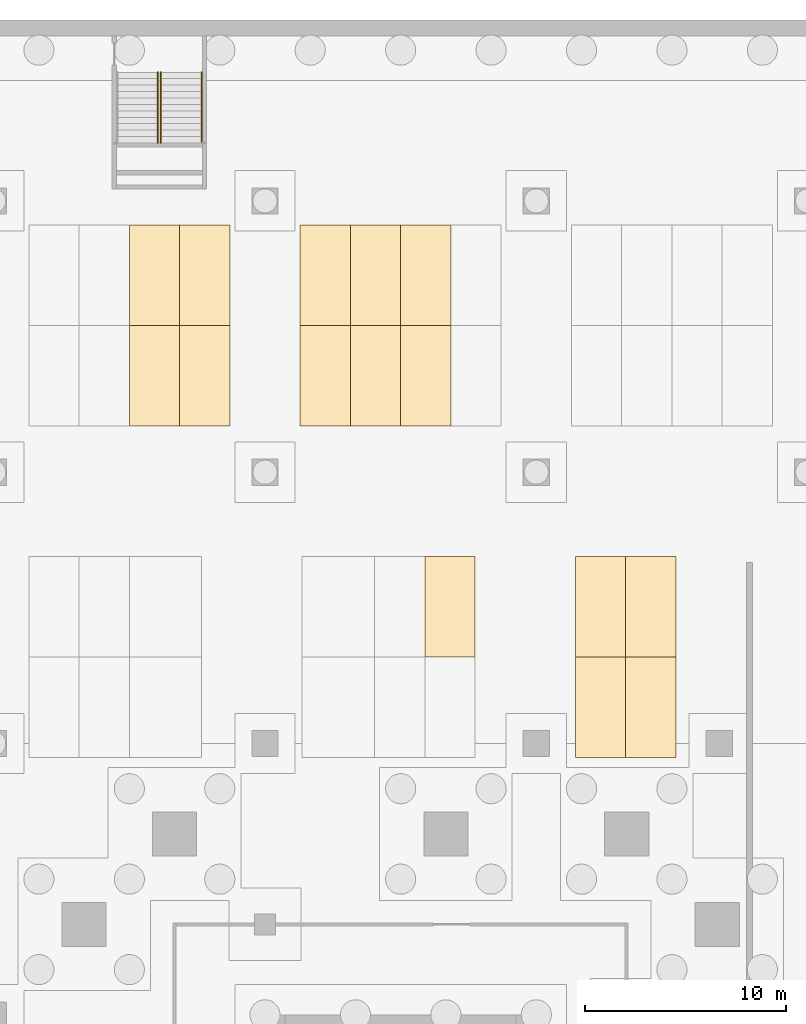
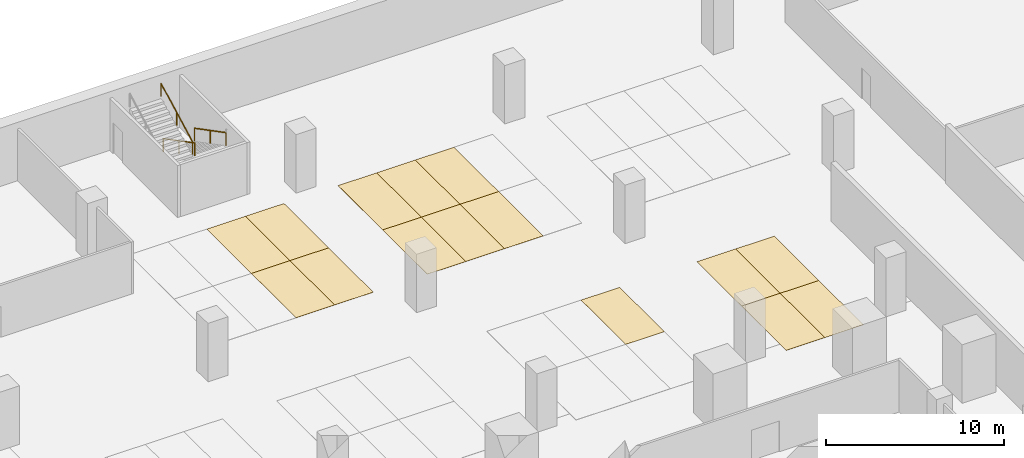
# One storey, part 36 of 40: 15 coverings, 3 railings.
"""IFC4 building model written with IfcOpenShell, lengths in metres."""

from ifc_helpers import new_model, si_unit, direction, frame, origin, origin_2d, place, context, subcontext, project, spatial, polyline, circle, outline, extrude, source, transform, mapped, material, layer, layer_set, type_object, element, save


model = new_model("IFC4")

# Units and contexts
model_context = context("Model", 3, precision=1e-05, world=origin(), true_north=direction((0.0, 1.0)))
body_context = subcontext(model_context, "Body", "Model", "MODEL_VIEW")
ifc_project = project(units=[si_unit("LENGTHUNIT", "METRE"), si_unit("AREAUNIT", "SQUARE_METRE"), si_unit("VOLUMEUNIT", "CUBIC_METRE"), si_unit("PLANEANGLEUNIT", "RADIAN"), si_unit("MASSUNIT", "GRAM", prefix="KILO")], contexts=[model_context])

# Site, building, storey
site_placement = place(None, origin())
site = spatial("IfcSite", under=ifc_project, at=site_placement, CompositionType="ELEMENT")
building_placement = place(site_placement, origin())
building = spatial("IfcBuilding", under=site, at=building_placement, Name="Altepetl Exchange Towers", CompositionType="ELEMENT")
storey_placement = place(building_placement, frame((0.0, 0.0, -8.0)))
storey = spatial("IfcBuildingStorey", under=building, at=storey_placement, Name="B2 Basement parking", CompositionType="ELEMENT", Elevation=-8.0)

# Coverings
ifc_material_1 = material(Name="Road marking paint")
ifc_layer = layer(ifc_material_1, 0.010009765625)
ifc_layer_set = layer_set([ifc_layer], Name="Road marking paint")
covering_type = type_object("IfcCoveringType", Name="Parking bay marking 2500 x 5000", PredefinedType="FLOORING", material=ifc_layer_set)
covering_1_placement = place(storey_placement, origin())
element("IfcCovering", 1, at=covering_1_placement, inside=storey, type_object=covering_type, Name="Parking bay B2-101", PredefinedType="FLOORING", context=body_context, shape_type="SweptSolid", body=[
    extrude(outline(polyline([(118.949951171875, 62.300048828125), (121.449951171875, 62.300048828125), (121.449951171875, 67.300048828125), (118.949951171875, 67.300048828125), (118.949951171875, 62.300048828125)])), origin(), (0.0, 0.0, 1.0), 0.010009765625),
])
covering_2_placement = place(storey_placement, origin())
element("IfcCovering", 2, at=covering_2_placement, inside=storey, type_object=covering_type, Name="Parking bay B2-102", PredefinedType="FLOORING", context=body_context, shape_type="SweptSolid", body=[
    extrude(outline(polyline([(121.449951171875, 62.300048828125), (123.949951171875, 62.300048828125), (123.949951171875, 67.300048828125), (121.449951171875, 67.300048828125), (121.449951171875, 62.300048828125)])), origin(), (0.0, 0.0, 1.0), 0.010009765625),
])
covering_3_placement = place(storey_placement, origin())
element("IfcCovering", 3, at=covering_3_placement, inside=storey, type_object=covering_type, Name="Parking bay B2-112", PredefinedType="FLOORING", context=body_context, shape_type="SweptSolid", body=[
    extrude(outline(polyline([(111.449951171875, 67.300048828125), (113.949951171875, 67.300048828125), (113.949951171875, 72.300048828125), (111.449951171875, 72.300048828125), (111.449951171875, 67.300048828125)])), origin(), (0.0, 0.0, 1.0), 0.010009765625),
])
covering_4_placement = place(storey_placement, origin())
element("IfcCovering", 4, at=covering_4_placement, inside=storey, type_object=covering_type, Name="Parking bay B2-113", PredefinedType="FLOORING", context=body_context, shape_type="SweptSolid", body=[
    extrude(outline(polyline([(118.949951171875, 67.300048828125), (121.449951171875, 67.300048828125), (121.449951171875, 72.300048828125), (118.949951171875, 72.300048828125), (118.949951171875, 67.300048828125)])), origin(), (0.0, 0.0, 1.0), 0.010009765625),
])
covering_5_placement = place(storey_placement, origin())
element("IfcCovering", 5, at=covering_5_placement, inside=storey, type_object=covering_type, Name="Parking bay B2-114", PredefinedType="FLOORING", context=body_context, shape_type="SweptSolid", body=[
    extrude(outline(polyline([(121.449951171875, 67.300048828125), (123.949951171875, 67.300048828125), (123.949951171875, 72.300048828125), (121.449951171875, 72.300048828125), (121.449951171875, 67.300048828125)])), origin(), (0.0, 0.0, 1.0), 0.010009765625),
])
covering_6_placement = place(storey_placement, origin())
element("IfcCovering", 6, at=covering_6_placement, inside=storey, type_object=covering_type, Name="Parking bay B2-131", PredefinedType="FLOORING", context=body_context, shape_type="SweptSolid", body=[
    extrude(outline(polyline([(96.75, 78.800048828125), (99.25, 78.800048828125), (99.25, 83.800048828125), (96.75, 83.800048828125), (96.75, 78.800048828125)])), origin(), (0.0, 0.0, 1.0), 0.010009765625),
])
covering_7_placement = place(storey_placement, origin())
element("IfcCovering", 7, at=covering_7_placement, inside=storey, type_object=covering_type, Name="Parking bay B2-132", PredefinedType="FLOORING", context=body_context, shape_type="SweptSolid", body=[
    extrude(outline(polyline([(99.25, 78.800048828125), (101.75, 78.800048828125), (101.75, 83.800048828125), (99.25, 83.800048828125), (99.25, 78.800048828125)])), origin(), (0.0, 0.0, 1.0), 0.010009765625),
])
covering_8_placement = place(storey_placement, origin())
element("IfcCovering", 8, at=covering_8_placement, inside=storey, type_object=covering_type, Name="Parking bay B2-133", PredefinedType="FLOORING", context=body_context, shape_type="SweptSolid", body=[
    extrude(outline(polyline([(105.25, 78.800048828125), (107.75, 78.800048828125), (107.75, 83.800048828125), (105.25, 83.800048828125), (105.25, 78.800048828125)])), origin(), (0.0, 0.0, 1.0), 0.010009765625),
])
covering_9_placement = place(storey_placement, origin())
element("IfcCovering", 9, at=covering_9_placement, inside=storey, type_object=covering_type, Name="Parking bay B2-134", PredefinedType="FLOORING", context=body_context, shape_type="SweptSolid", body=[
    extrude(outline(polyline([(107.75, 78.800048828125), (110.25, 78.800048828125), (110.25, 83.800048828125), (107.75, 83.800048828125), (107.75, 78.800048828125)])), origin(), (0.0, 0.0, 1.0), 0.010009765625),
])
covering_10_placement = place(storey_placement, origin())
element("IfcCovering", 10, at=covering_10_placement, inside=storey, type_object=covering_type, Name="Parking bay B2-135", PredefinedType="FLOORING", context=body_context, shape_type="SweptSolid", body=[
    extrude(outline(polyline([(110.25, 78.800048828125), (112.75, 78.800048828125), (112.75, 83.800048828125), (110.25, 83.800048828125), (110.25, 78.800048828125)])), origin(), (0.0, 0.0, 1.0), 0.010009765625),
])
covering_11_placement = place(storey_placement, origin())
element("IfcCovering", 11, at=covering_11_placement, inside=storey, type_object=covering_type, Name="Parking bay B2-157", PredefinedType="FLOORING", context=body_context, shape_type="SweptSolid", body=[
    extrude(outline(polyline([(96.75, 83.800048828125), (99.25, 83.800048828125), (99.25, 88.800048828125), (96.75, 88.800048828125), (96.75, 83.800048828125)])), origin(), (0.0, 0.0, 1.0), 0.010009765625),
])
covering_12_placement = place(storey_placement, origin())
element("IfcCovering", 12, at=covering_12_placement, inside=storey, type_object=covering_type, Name="Parking bay B2-158", PredefinedType="FLOORING", context=body_context, shape_type="SweptSolid", body=[
    extrude(outline(polyline([(99.25, 83.800048828125), (101.75, 83.800048828125), (101.75, 88.800048828125), (99.25, 88.800048828125), (99.25, 83.800048828125)])), origin(), (0.0, 0.0, 1.0), 0.010009765625),
])
covering_13_placement = place(storey_placement, origin())
element("IfcCovering", 13, at=covering_13_placement, inside=storey, type_object=covering_type, Name="Parking bay B2-159", PredefinedType="FLOORING", context=body_context, shape_type="SweptSolid", body=[
    extrude(outline(polyline([(105.25, 83.800048828125), (107.75, 83.800048828125), (107.75, 88.800048828125), (105.25, 88.800048828125), (105.25, 83.800048828125)])), origin(), (0.0, 0.0, 1.0), 0.010009765625),
])
covering_14_placement = place(storey_placement, origin())
element("IfcCovering", 14, at=covering_14_placement, inside=storey, type_object=covering_type, Name="Parking bay B2-160", PredefinedType="FLOORING", context=body_context, shape_type="SweptSolid", body=[
    extrude(outline(polyline([(107.75, 83.800048828125), (110.25, 83.800048828125), (110.25, 88.800048828125), (107.75, 88.800048828125), (107.75, 83.800048828125)])), origin(), (0.0, 0.0, 1.0), 0.010009765625),
])
covering_15_placement = place(storey_placement, origin())
element("IfcCovering", 15, at=covering_15_placement, inside=storey, type_object=covering_type, Name="Parking bay B2-161", PredefinedType="FLOORING", context=body_context, shape_type="SweptSolid", body=[
    extrude(outline(polyline([(110.25, 83.800048828125), (112.75, 83.800048828125), (112.75, 88.800048828125), (110.25, 88.800048828125), (110.25, 83.800048828125)])), origin(), (0.0, 0.0, 1.0), 0.010009765625),
])

# Railings
ifc_material_2 = material(Name="Stainless steel", Category="steel")
railing_type = type_object("IfcRailingType", Name="Stair handrail 900", PredefinedType="HANDRAIL", material=ifc_material_2)
shared_shape = source(origin(), body_context, "Body", "SweptSolid", [
    extrude(circle(Radius=0.02001953125, at=origin_2d()), origin(), (0.0, 0.0, 1.0), 0.849853515625),
])
for number, where, name in (
    (16, (100.35009765625, 96.39990234375, 0.166748046875), "rail:P:B2:ES6:1a"),
    (17, (98.324951171875, 96.39990234375, 0.166748046875), "rail:P:B2:ES6:1b"),
):
    element("IfcRailing", number, at=place(storey_placement, frame(where)), inside=storey, type_object=railing_type, Name=name, PredefinedType="HANDRAIL", context=body_context, shape_type="SweptSolid", body=[
        extrude(circle(Radius=0.02490234375, at=origin_2d()), frame((0.0, 0.0, 0.875), z_axis=(0.0, -0.886923534906, 0.461916272965), x_axis=(1.0, 0.0, 0.0)), (0.0, 0.0, 1.0), 3.96875),
        mapped(shared_shape, transform((0.0, 0.0, 0.0))),
        mapped(shared_shape, transform((0.0, -1.760009765625, 0.91650390625))),
        mapped(shared_shape, transform((0.0, -3.52001953125, 1.833251953125))),
    ])
railing_placement = place(storey_placement, frame((98.175048828125, 92.8798828125, 2.166748046875)))
element("IfcRailing", 18, at=railing_placement, inside=storey, type_object=railing_type, Name="rail:P:B2:ES6:2a", PredefinedType="HANDRAIL", context=body_context, shape_type="SweptSolid", body=[
    extrude(circle(Radius=0.02490234375, at=origin_2d()), frame((0.0, 0.0, 0.875), z_axis=(0.0, 0.886923534906, 0.461916272965), x_axis=(-1.0, 0.0, 0.0)), (0.0, 0.0, 1.0), 3.96875),
    mapped(shared_shape, transform((0.0, 0.0, 0.0))),
    mapped(shared_shape, transform((0.0, 1.760009765625, 0.91650390625))),
    mapped(shared_shape, transform((0.0, 3.52001953125, 1.833251953125))),
])

save(model, "model.ifc")
